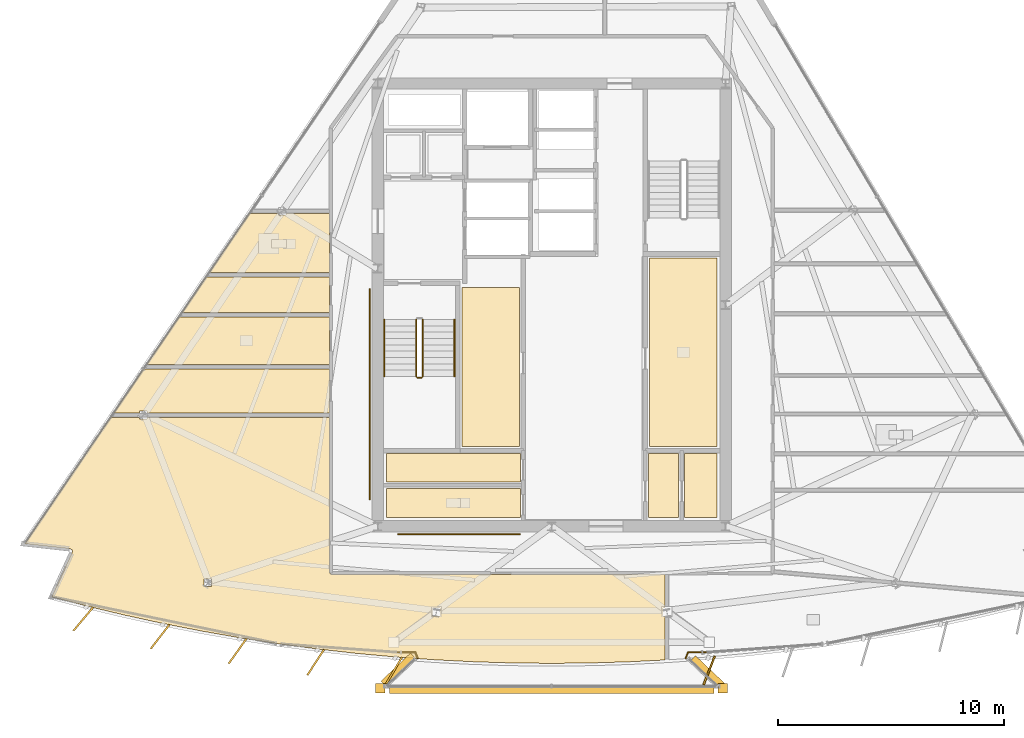
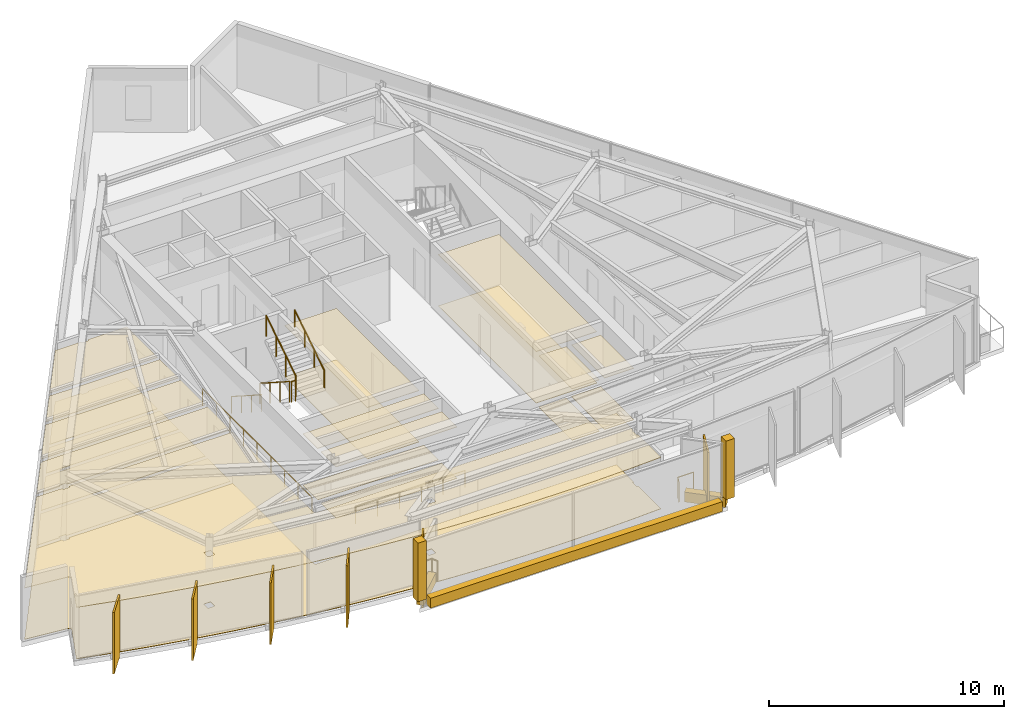
# One storey, part 10 of 13: 27 coverings, 9 railings, 6 shading devices.
"""IFC4 building model written with IfcOpenShell, lengths in metres."""

from ifc_helpers import new_model, si_unit, direction, frame, origin, origin_2d, place, context, subcontext, project, spatial, polyline, rectangle, circle, outline, extrude, material, layer, layer_set, type_object, element, save


model = new_model("IFC4")

# Units and contexts
model_context = context("Model", 3, precision=1e-05, world=origin(), true_north=direction((0.0, 1.0)))
body_context = subcontext(model_context, "Body", "Model", "MODEL_VIEW")
ifc_project = project(units=[si_unit("LENGTHUNIT", "METRE"), si_unit("AREAUNIT", "SQUARE_METRE"), si_unit("VOLUMEUNIT", "CUBIC_METRE"), si_unit("PLANEANGLEUNIT", "RADIAN"), si_unit("MASSUNIT", "GRAM", prefix="KILO")], contexts=[model_context])

# Site, building, storey
site_placement = place(None, origin())
site = spatial("IfcSite", under=ifc_project, at=site_placement, CompositionType="ELEMENT")
building_placement = place(site_placement, origin())
building = spatial("IfcBuilding", under=site, at=building_placement, Name="Savorim Split Tower", CompositionType="ELEMENT")
storey_placement = place(building_placement, frame((0.0, 0.0, 283.199951171875)))
storey = spatial("IfcBuildingStorey", under=building, at=storey_placement, Name="L75", CompositionType="ELEMENT", Elevation=283.199951171875)

# Coverings
ifc_material_1 = material(Name="Mineral Fibre Acoustic Ceiling")
ifc_layer_1 = layer(ifc_material_1, 0.02490234375)
ifc_layer_set_1 = layer_set([ifc_layer_1], Name="COV-CEIL-25")
covering_type_1 = type_object("IfcCoveringType", Name="COV-CEIL-25", PredefinedType="CEILING", material=ifc_layer_set_1)
covering_1_placement = place(storey_placement, frame((0.0, 0.0, 2.670166015625)))
element("IfcCovering", 1, at=covering_1_placement, inside=storey, type_object=covering_type_1, Name="L75 Community Laundry Room Acoustic Ceiling", PredefinedType="CEILING", context=body_context, shape_type="SweptSolid", body=[
    extrude(outline(polyline([(4.330078125, 2.469970703125), (4.330078125, -5.8701171875), (7.320068359375, -5.8701171875), (7.320068359375, 2.469970703125), (4.330078125, 2.469970703125)])), origin(), (0.0, 0.0, 1.0), 0.02490234375),
])
covering_2_placement = place(storey_placement, frame((0.0, 0.0, 2.670166015625)))
element("IfcCovering", 2, at=covering_2_placement, inside=storey, type_object=covering_type_1, Name="L75 Quiet Study Room Acoustic Ceiling", PredefinedType="CEILING", context=body_context, shape_type="SweptSolid", body=[
    extrude(outline(polyline([(-3.969970703125, 1.169921875), (-3.969970703125, -5.8701171875), (-1.429931640625, -5.8701171875), (-1.429931640625, 1.169921875), (-3.969970703125, 1.169921875)])), origin(), (0.0, 0.0, 1.0), 0.02490234375),
])
covering_3_placement = place(storey_placement, frame((0.0, 0.0, 2.670166015625)))
element("IfcCovering", 3, at=covering_3_placement, inside=storey, type_object=covering_type_1, Name="L75 Cleaning Store Acoustic Ceiling", PredefinedType="CEILING", context=body_context, shape_type="SweptSolid", body=[
    extrude(outline(polyline([(-7.320068359375, -6.179931640625), (-7.320068359375, -7.43994140625), (-1.3798828125, -7.43994140625), (-1.3798828125, -6.179931640625), (-7.320068359375, -6.179931640625)])), origin(), (0.0, 0.0, 1.0), 0.02490234375),
])
covering_4_placement = place(storey_placement, frame((0.0, 0.0, 2.670166015625)))
element("IfcCovering", 4, at=covering_4_placement, inside=storey, type_object=covering_type_1, Name="L75 Public WC Acoustic Ceiling", PredefinedType="CEILING", context=body_context, shape_type="SweptSolid", body=[
    extrude(outline(polyline([(-7.320068359375, -7.719970703125), (-7.320068359375, -9.02001953125), (-1.3798828125, -9.02001953125), (-1.3798828125, -7.719970703125), (-7.320068359375, -7.719970703125)])), origin(), (0.0, 0.0, 1.0), 0.02490234375),
])
covering_5_placement = place(storey_placement, frame((0.0, 0.0, 2.670166015625)))
element("IfcCovering", 5, at=covering_5_placement, inside=storey, type_object=covering_type_1, Name="L75 Vending Pantry Acoustic Ceiling", PredefinedType="CEILING", context=body_context, shape_type="SweptSolid", body=[
    extrude(outline(polyline([(4.280029296875, -6.179931640625), (4.280029296875, -9.02001953125), (5.6201171875, -9.02001953125), (5.6201171875, -6.179931640625), (4.280029296875, -6.179931640625)])), origin(), (0.0, 0.0, 1.0), 0.02490234375),
])
covering_6_placement = place(storey_placement, frame((0.0, 0.0, 2.670166015625)))
element("IfcCovering", 6, at=covering_6_placement, inside=storey, type_object=covering_type_1, Name="L75 Recycling Chute Room Acoustic Ceiling", PredefinedType="CEILING", context=body_context, shape_type="SweptSolid", body=[
    extrude(outline(polyline([(5.8798828125, -6.179931640625), (5.8798828125, -9.02001953125), (7.320068359375, -9.02001953125), (7.320068359375, -6.179931640625), (5.8798828125, -6.179931640625)])), origin(), (0.0, 0.0, 1.0), 0.02490234375),
])
covering_7_placement = place(storey_placement, frame((0.0, 0.0, 2.670166015625)))
element("IfcCovering", 7, at=covering_7_placement, inside=storey, type_object=covering_type_1, Name="L75 Shared Kitchen Acoustic Ceiling", PredefinedType="CEILING", context=body_context, shape_type="SweptSolid", body=[
    extrude(outline(polyline([(-16.493896484375, -0.138916015625), (-17.924072265625, -2.241455078125), (-9.840087890625, -2.241455078125), (-9.840087890625, -0.138916015625), (-16.493896484375, -0.138916015625)])), origin(), (0.0, 0.0, 1.0), 0.02490234375),
])
covering_8_placement = place(storey_placement, frame((0.0, 0.0, 2.670166015625)))
element("IfcCovering", 8, at=covering_8_placement, inside=storey, type_object=covering_type_1, Name="L75 Maker Workshop Acoustic Ceiling", PredefinedType="CEILING", context=body_context, shape_type="SweptSolid", body=[
    extrude(outline(polyline([(-17.90234375, -4.307861328125), (-17.90234375, -4.3876953125), (-9.840087890625, -4.3876953125), (-9.840087890625, -2.431396484375), (-18.053466796875, -2.431396484375), (-19.38427734375, -4.3876953125), (-18.2314453125, -4.3876953125), (-18.2314453125, -4.307861328125), (-17.90234375, -4.307861328125)])), origin(), (0.0, 0.0, 1.0), 0.02490234375),
])
covering_9_placement = place(storey_placement, frame((0.0, 0.0, 2.670166015625)))
element("IfcCovering", 9, at=covering_9_placement, inside=storey, type_object=covering_type_1, Name="L75 Maker Workshop Acoustic Ceiling", PredefinedType="CEILING", context=body_context, shape_type="SweptSolid", body=[
    extrude(outline(polyline([(-21.21337890625, -10.5068359375), (-21.21337890625, -10.518798828125), (-21.214111328125, -10.530517578125), (-21.21630859375, -10.54248046875), (-21.2197265625, -10.5537109375), (-21.22412109375, -10.56494140625), (-22.125244140625, -12.526123046875), (-20.5859375, -12.9287109375), (-18.90087890625, -13.332763671875), (-17.2080078125, -13.7021484375), (-15.5078125, -14.036865234375), (-13.801025390625, -14.3369140625), (-12.088623046875, -14.601806640625), (-10.37109375, -14.83154296875), (-8.649169921875, -15.026123046875), (-6.923583984375, -15.185546875), (-5.1953125, -15.3095703125), (-3.46484375, -15.398193359375), (-1.732666015625, -15.451171875), (0.0, -15.468994140625), (1.732666015625, -15.451171875), (3.46484375, -15.398193359375), (5.0068359375, -15.319091796875), (5.0068359375, -13.376708984375), (4.937255859375, -13.376708984375), (4.937255859375, -13.026611328125), (5.0068359375, -13.026611328125), (5.0068359375, -11.5400390625), (-9.699951171875, -11.5400390625), (-9.713623046875, -11.539306640625), (-9.727294921875, -11.537353515625), (-9.740478515625, -11.533935546875), (-9.753662109375, -11.529296875), (-9.76611328125, -11.5234375), (-9.77783203125, -11.516357421875), (-9.788818359375, -11.50830078125), (-9.799072265625, -11.4990234375), (-9.80810546875, -11.48876953125), (-9.81640625, -11.477783203125), (-9.823486328125, -11.466064453125), (-9.829345703125, -11.45361328125), (-9.833984375, -11.440673828125), (-9.83740234375, -11.42724609375), (-9.83935546875, -11.413818359375), (-9.840087890625, -11.39990234375), (-9.840087890625, -4.577880859375), (-17.90234375, -4.577880859375), (-17.90234375, -4.65771484375), (-18.2314453125, -4.65771484375), (-18.2314453125, -4.577880859375), (-19.388427734375, -4.577880859375), (-19.4833984375, -4.577880859375), (-19.4833984375, -4.53369140625), (-23.3193359375, -10.172119140625), (-21.31982421875, -10.3955078125), (-21.30810546875, -10.3974609375), (-21.296630859375, -10.400390625), (-21.285400390625, -10.40478515625), (-21.274658203125, -10.409912109375), (-21.2646484375, -10.41650390625), (-21.255126953125, -10.423583984375), (-21.24658203125, -10.431884765625), (-21.23876953125, -10.44091796875), (-21.231689453125, -10.45068359375), (-21.225830078125, -10.4609375), (-21.22119140625, -10.471923828125), (-21.21728515625, -10.4833984375), (-21.21484375, -10.494873046875), (-21.21337890625, -10.5068359375)]), holes=[polyline([(-15.38671875, -12.077392578125), (-15.0576171875, -12.077392578125), (-15.0576171875, -11.727294921875), (-15.38671875, -11.727294921875), (-15.38671875, -12.077392578125)]), polyline([(-5.266357421875, -13.376708984375), (-4.937255859375, -13.376708984375), (-4.937255859375, -13.026611328125), (-5.266357421875, -13.026611328125), (-5.266357421875, -13.376708984375)])]), origin(), (0.0, 0.0, 1.0), 0.02490234375),
])
covering_10_placement = place(storey_placement, frame((0.0, 0.0, 2.670166015625)))
element("IfcCovering", 10, at=covering_10_placement, inside=storey, type_object=covering_type_1, Name="L75 Shared Bathroom Acoustic Ceiling", PredefinedType="CEILING", context=body_context, shape_type="SweptSolid", body=[
    extrude(outline(polyline([(-12.092529296875, 4.4462890625), (-13.24951171875, 4.4462890625), (-13.344482421875, 4.4462890625), (-13.344482421875, 4.490478515625), (-15.15478515625, 1.82958984375), (-9.840087890625, 1.82958984375), (-9.840087890625, 4.4462890625), (-11.763671875, 4.4462890625), (-11.763671875, 4.3662109375), (-12.092529296875, 4.3662109375), (-12.092529296875, 4.4462890625)])), origin(), (0.0, 0.0, 1.0), 0.02490234375),
])
covering_11_placement = place(storey_placement, frame((0.0, 0.0, 2.670166015625)))
element("IfcCovering", 11, at=covering_11_placement, inside=storey, type_object=covering_type_1, Name="L75 Co-Living Bedroom Acoustic Ceiling", PredefinedType="CEILING", context=body_context, shape_type="SweptSolid", body=[
    extrude(outline(polyline([(-15.283935546875, 1.639404296875), (-16.364501953125, 0.051025390625), (-9.840087890625, 0.051025390625), (-9.840087890625, 1.639404296875), (-15.283935546875, 1.639404296875)])), origin(), (0.0, 0.0, 1.0), 0.02490234375),
])
ifc_material_2 = material(Name="Porcelain Stoneware Flooring", Category="masonry")
ifc_layer_2 = layer(ifc_material_2, 0.02001953125)
ifc_layer_set_2 = layer_set([ifc_layer_2], Name="COV-FLOR-20")
covering_type_2 = type_object("IfcCoveringType", Name="COV-FLOR-20", PredefinedType="FLOORING", material=ifc_layer_set_2)
covering_12_placement = place(storey_placement, origin())
element("IfcCovering", 12, at=covering_12_placement, inside=storey, type_object=covering_type_2, Name="L75 Community Laundry Room Porcelain Flooring", PredefinedType="FLOORING", context=body_context, shape_type="SweptSolid", body=[
    extrude(outline(polyline([(4.330078125, 2.469970703125), (4.330078125, -5.8701171875), (7.320068359375, -5.8701171875), (7.320068359375, 2.469970703125), (4.330078125, 2.469970703125)])), origin(), (0.0, 0.0, 1.0), 0.02001953125),
])
covering_13_placement = place(storey_placement, origin())
element("IfcCovering", 13, at=covering_13_placement, inside=storey, type_object=covering_type_2, Name="L75 Quiet Study Room Porcelain Flooring", PredefinedType="FLOORING", context=body_context, shape_type="SweptSolid", body=[
    extrude(outline(polyline([(-3.969970703125, 1.169921875), (-3.969970703125, -5.8701171875), (-1.429931640625, -5.8701171875), (-1.429931640625, 1.169921875), (-3.969970703125, 1.169921875)])), origin(), (0.0, 0.0, 1.0), 0.02001953125),
])
covering_14_placement = place(storey_placement, origin())
element("IfcCovering", 14, at=covering_14_placement, inside=storey, type_object=covering_type_2, Name="L75 Cleaning Store Porcelain Flooring", PredefinedType="FLOORING", context=body_context, shape_type="SweptSolid", body=[
    extrude(outline(polyline([(-7.320068359375, -6.179931640625), (-7.320068359375, -7.43994140625), (-1.3798828125, -7.43994140625), (-1.3798828125, -6.179931640625), (-7.320068359375, -6.179931640625)])), origin(), (0.0, 0.0, 1.0), 0.02001953125),
])
covering_15_placement = place(storey_placement, origin())
element("IfcCovering", 15, at=covering_15_placement, inside=storey, type_object=covering_type_2, Name="L75 Public WC Porcelain Flooring", PredefinedType="FLOORING", context=body_context, shape_type="SweptSolid", body=[
    extrude(outline(polyline([(-7.320068359375, -7.719970703125), (-7.320068359375, -9.02001953125), (-1.3798828125, -9.02001953125), (-1.3798828125, -7.719970703125), (-7.320068359375, -7.719970703125)])), origin(), (0.0, 0.0, 1.0), 0.02001953125),
])
covering_16_placement = place(storey_placement, origin())
element("IfcCovering", 16, at=covering_16_placement, inside=storey, type_object=covering_type_2, Name="L75 Vending Pantry Porcelain Flooring", PredefinedType="FLOORING", context=body_context, shape_type="SweptSolid", body=[
    extrude(outline(polyline([(4.280029296875, -6.179931640625), (4.280029296875, -9.02001953125), (5.6201171875, -9.02001953125), (5.6201171875, -6.179931640625), (4.280029296875, -6.179931640625)])), origin(), (0.0, 0.0, 1.0), 0.02001953125),
])
covering_17_placement = place(storey_placement, origin())
element("IfcCovering", 17, at=covering_17_placement, inside=storey, type_object=covering_type_2, Name="L75 Recycling Chute Room Porcelain Flooring", PredefinedType="FLOORING", context=body_context, shape_type="SweptSolid", body=[
    extrude(outline(polyline([(5.8798828125, -6.179931640625), (5.8798828125, -9.02001953125), (7.320068359375, -9.02001953125), (7.320068359375, -6.179931640625), (5.8798828125, -6.179931640625)])), origin(), (0.0, 0.0, 1.0), 0.02001953125),
])
covering_18_placement = place(storey_placement, origin())
element("IfcCovering", 18, at=covering_18_placement, inside=storey, type_object=covering_type_2, Name="L75 Shared Kitchen Porcelain Flooring", PredefinedType="FLOORING", context=body_context, shape_type="SweptSolid", body=[
    extrude(outline(polyline([(-16.493896484375, -0.138916015625), (-17.924072265625, -2.241455078125), (-9.840087890625, -2.241455078125), (-9.840087890625, -0.138916015625), (-16.493896484375, -0.138916015625)])), origin(), (0.0, 0.0, 1.0), 0.02001953125),
])
covering_19_placement = place(storey_placement, origin())
element("IfcCovering", 19, at=covering_19_placement, inside=storey, type_object=covering_type_2, Name="L75 Maker Workshop Porcelain Flooring", PredefinedType="FLOORING", context=body_context, shape_type="SweptSolid", body=[
    extrude(outline(polyline([(-17.90234375, -4.307861328125), (-17.90234375, -4.3876953125), (-9.840087890625, -4.3876953125), (-9.840087890625, -2.431396484375), (-18.053466796875, -2.431396484375), (-19.38427734375, -4.3876953125), (-18.2314453125, -4.3876953125), (-18.2314453125, -4.307861328125), (-17.90234375, -4.307861328125)])), origin(), (0.0, 0.0, 1.0), 0.02001953125),
])
covering_20_placement = place(storey_placement, origin())
element("IfcCovering", 20, at=covering_20_placement, inside=storey, type_object=covering_type_2, Name="L75 Maker Workshop Porcelain Flooring", PredefinedType="FLOORING", context=body_context, shape_type="SweptSolid", body=[
    extrude(outline(polyline([(-21.21337890625, -10.5068359375), (-21.21337890625, -10.518798828125), (-21.214111328125, -10.530517578125), (-21.21630859375, -10.54248046875), (-21.2197265625, -10.5537109375), (-21.22412109375, -10.56494140625), (-22.125244140625, -12.526123046875), (-20.5859375, -12.9287109375), (-18.90087890625, -13.332763671875), (-17.2080078125, -13.7021484375), (-15.5078125, -14.036865234375), (-13.801025390625, -14.3369140625), (-12.088623046875, -14.601806640625), (-10.37109375, -14.83154296875), (-8.649169921875, -15.026123046875), (-6.923583984375, -15.185546875), (-5.1953125, -15.3095703125), (-3.46484375, -15.398193359375), (-1.732666015625, -15.451171875), (0.0, -15.468994140625), (1.732666015625, -15.451171875), (3.46484375, -15.398193359375), (5.0068359375, -15.319091796875), (5.0068359375, -13.376708984375), (4.937255859375, -13.376708984375), (4.937255859375, -13.026611328125), (5.0068359375, -13.026611328125), (5.0068359375, -11.5400390625), (-9.699951171875, -11.5400390625), (-9.713623046875, -11.539306640625), (-9.727294921875, -11.537353515625), (-9.740478515625, -11.533935546875), (-9.753662109375, -11.529296875), (-9.76611328125, -11.5234375), (-9.77783203125, -11.516357421875), (-9.788818359375, -11.50830078125), (-9.799072265625, -11.4990234375), (-9.80810546875, -11.48876953125), (-9.81640625, -11.477783203125), (-9.823486328125, -11.466064453125), (-9.829345703125, -11.45361328125), (-9.833984375, -11.440673828125), (-9.83740234375, -11.42724609375), (-9.83935546875, -11.413818359375), (-9.840087890625, -11.39990234375), (-9.840087890625, -4.577880859375), (-17.90234375, -4.577880859375), (-17.90234375, -4.65771484375), (-18.2314453125, -4.65771484375), (-18.2314453125, -4.577880859375), (-19.388427734375, -4.577880859375), (-19.4833984375, -4.577880859375), (-19.4833984375, -4.53369140625), (-23.3193359375, -10.172119140625), (-21.31982421875, -10.3955078125), (-21.30810546875, -10.3974609375), (-21.296630859375, -10.400390625), (-21.285400390625, -10.40478515625), (-21.274658203125, -10.409912109375), (-21.2646484375, -10.41650390625), (-21.255126953125, -10.423583984375), (-21.24658203125, -10.431884765625), (-21.23876953125, -10.44091796875), (-21.231689453125, -10.45068359375), (-21.225830078125, -10.4609375), (-21.22119140625, -10.471923828125), (-21.21728515625, -10.4833984375), (-21.21484375, -10.494873046875), (-21.21337890625, -10.5068359375)]), holes=[polyline([(-15.38671875, -12.077392578125), (-15.0576171875, -12.077392578125), (-15.0576171875, -11.727294921875), (-15.38671875, -11.727294921875), (-15.38671875, -12.077392578125)]), polyline([(-5.266357421875, -13.376708984375), (-4.937255859375, -13.376708984375), (-4.937255859375, -13.026611328125), (-5.266357421875, -13.026611328125), (-5.266357421875, -13.376708984375)])]), origin(), (0.0, 0.0, 1.0), 0.02001953125),
])
covering_21_placement = place(storey_placement, origin())
element("IfcCovering", 21, at=covering_21_placement, inside=storey, type_object=covering_type_2, Name="L75 Shared Bathroom Porcelain Flooring", PredefinedType="FLOORING", context=body_context, shape_type="SweptSolid", body=[
    extrude(outline(polyline([(-12.092529296875, 4.4462890625), (-13.24951171875, 4.4462890625), (-13.344482421875, 4.4462890625), (-13.344482421875, 4.490478515625), (-15.15478515625, 1.82958984375), (-9.840087890625, 1.82958984375), (-9.840087890625, 4.4462890625), (-11.763671875, 4.4462890625), (-11.763671875, 4.3662109375), (-12.092529296875, 4.3662109375), (-12.092529296875, 4.4462890625)])), origin(), (0.0, 0.0, 1.0), 0.02001953125),
])
covering_22_placement = place(storey_placement, origin())
element("IfcCovering", 22, at=covering_22_placement, inside=storey, type_object=covering_type_2, Name="L75 Co-Living Bedroom Porcelain Flooring", PredefinedType="FLOORING", context=body_context, shape_type="SweptSolid", body=[
    extrude(outline(polyline([(-15.283935546875, 1.639404296875), (-16.364501953125, 0.051025390625), (-9.840087890625, 0.051025390625), (-9.840087890625, 1.639404296875), (-15.283935546875, 1.639404296875)])), origin(), (0.0, 0.0, 1.0), 0.02001953125),
])
ifc_material_3 = material(Name="White Porcelain Architectural Cladding")
ifc_layer_3 = layer(ifc_material_3, 0.139892578125)
ifc_layer_set_3 = layer_set([ifc_layer_3], Name="COV-FRM-WHITE")
covering_type_3 = type_object("IfcCoveringType", Name="COV-FRM-WHITE", PredefinedType="CLADDING", material=ifc_layer_set_3)
covering_23_placement = place(storey_placement, frame((0.0, 0.0, 0.010009765625)))
element("IfcCovering", 23, at=covering_23_placement, inside=storey, type_object=covering_type_3, Name="L75 Cantilevered Lounge White Lower Frame Band W", PredefinedType="CLADDING", context=body_context, shape_type="SweptSolid", body=[
    extrude(outline(polyline([(-6.2490234375, -15.016845703125), (-7.5556640625, -16.254638671875), (-7.322021484375, -16.50146484375), (-6.01513671875, -15.263671875), (-6.2490234375, -15.016845703125)])), origin(), (0.0, 0.0, 1.0), 0.510009765625),
])
covering_24_placement = place(storey_placement, frame((0.0, 0.0, 0.010009765625)))
element("IfcCovering", 24, at=covering_24_placement, inside=storey, type_object=covering_type_3, Name="L75 Cantilevered Lounge White Lower Frame Band F", PredefinedType="CLADDING", context=body_context, shape_type="SweptSolid", body=[
    extrude(outline(polyline([(-7.1787109375, -16.799560546875), (7.1787109375, -16.799560546875), (7.1787109375, -16.45947265625), (-7.1787109375, -16.45947265625), (-7.1787109375, -16.799560546875)])), origin(), (0.0, 0.0, 1.0), 0.510009765625),
])
covering_25_placement = place(storey_placement, frame((0.0, 0.0, 0.010009765625)))
element("IfcCovering", 25, at=covering_25_placement, inside=storey, type_object=covering_type_3, Name="L75 Cantilevered Lounge White Lower Frame Band E", PredefinedType="CLADDING", context=body_context, shape_type="SweptSolid", body=[
    extrude(outline(polyline([(7.671875, -16.36474609375), (6.364990234375, -15.126953125), (6.13134765625, -15.373779296875), (7.43798828125, -16.611572265625), (7.671875, -16.36474609375)])), origin(), (0.0, 0.0, 1.0), 0.510009765625),
])
covering_26_placement = place(storey_placement, frame((0.0, 0.0, 0.5400390625)))
element("IfcCovering", 26, at=covering_26_placement, inside=storey, type_object=covering_type_3, Name="L75 Cantilevered Lounge White Frame Corner Post 1", PredefinedType="CLADDING", context=body_context, shape_type="SweptSolid", body=[
    extrude(outline(polyline([(-7.78857421875, -16.78955078125), (-7.36865234375, -16.78955078125), (-7.36865234375, -16.369384765625), (-7.78857421875, -16.369384765625), (-7.78857421875, -16.78955078125)])), origin(), (0.0, 0.0, 1.0), 3.050048828125),
])
covering_27_placement = place(storey_placement, frame((0.0, 0.0, 0.5400390625)))
element("IfcCovering", 27, at=covering_27_placement, inside=storey, type_object=covering_type_3, Name="L75 Cantilevered Lounge White Frame Corner Post 2", PredefinedType="CLADDING", context=body_context, shape_type="SweptSolid", body=[
    extrude(outline(polyline([(7.36865234375, -16.78955078125), (7.78857421875, -16.78955078125), (7.78857421875, -16.369384765625), (7.36865234375, -16.369384765625), (7.36865234375, -16.78955078125)])), origin(), (0.0, 0.0, 1.0), 3.050048828125),
])

# Railings
ifc_material_4 = material(Name="Galvanised Painted Steel Balustrade", Category="steel")
railing_type_1 = type_object("IfcRailingType", Name="RLG-BAL-1100", PredefinedType="BALUSTRADE", material=ifc_material_4)
railing_1_placement = place(storey_placement, frame((-6.819580078125, -14.971435546875, 0.0)))
element("IfcRailing", 28, at=railing_1_placement, inside=storey, type_object=railing_type_1, Name="L75 Cantilevered Lounge West Edge Closure Guard", PredefinedType="BALUSTRADE", context=body_context, shape_type="SweptSolid", body=[
    extrude(circle(Radius=0.02392578125, at=origin_2d()), frame((0.0, 0.0, 1.076171875), z_axis=(1.0, 0.0, 0.0), x_axis=(0.0, 1.0, 0.0)), (0.0, 0.0, 1.0), 0.780029296875),
    extrude(circle(Radius=0.02392578125, at=origin_2d()), frame((0.780029296875, 0.0, 1.076171875), z_axis=(0.370122497849, -0.928982958178, 0.0), x_axis=(0.928982958178, 0.370122497849, 0.0)), (0.0, 0.0, 1.0), 0.298828125),
    extrude(circle(Radius=0.02099609375, at=origin_2d()), origin(), (0.0, 0.0, 1.0), 1.052001953125),
    extrude(circle(Radius=0.02099609375, at=origin_2d()), frame((0.780029296875, 0.0, 0.0)), (0.0, 0.0, 1.0), 1.052001953125),
    extrude(circle(Radius=0.02099609375, at=origin_2d()), frame((0.890625, -0.277587890625, 0.0)), (0.0, 0.0, 1.0), 1.052001953125),
])
railing_2_placement = place(storey_placement, frame((5.928955078125, -15.2490234375, 0.0)))
element("IfcRailing", 29, at=railing_2_placement, inside=storey, type_object=railing_type_1, Name="L75 Cantilevered Lounge East Edge Closure Guard", PredefinedType="BALUSTRADE", context=body_context, shape_type="SweptSolid", body=[
    extrude(circle(Radius=0.02392578125, at=origin_2d()), frame((0.0, 0.0, 1.076171875), z_axis=(0.370122497849, 0.928982958178, 0.0), x_axis=(-0.928982958178, 0.370122497849, 0.0)), (0.0, 0.0, 1.0), 0.298828125),
    extrude(circle(Radius=0.02392578125, at=origin_2d()), frame((0.110595703125, 0.277587890625, 1.076171875), z_axis=(1.0, 0.0, 0.0), x_axis=(0.0, 1.0, 0.0)), (0.0, 0.0, 1.0), 0.780029296875),
    extrude(circle(Radius=0.02099609375, at=origin_2d()), origin(), (0.0, 0.0, 1.0), 1.052001953125),
    extrude(circle(Radius=0.02099609375, at=origin_2d()), frame((0.110595703125, 0.277587890625, 0.0)), (0.0, 0.0, 1.0), 1.052001953125),
    extrude(circle(Radius=0.02099609375, at=origin_2d()), frame((0.890625, 0.277587890625, 0.0)), (0.0, 0.0, 1.0), 1.052001953125),
])
railing_type_2 = type_object("IfcRailingType", Name="RLG-HR-900", PredefinedType="HANDRAIL", material=ifc_material_4)
railing_3_placement = place(storey_placement, frame((-7.39990234375, -0.25, 0.179931640625)))
element("IfcRailing", 30, at=railing_3_placement, inside=storey, type_object=railing_type_2, Name="L75 ST-1 stair handrail 1", PredefinedType="HANDRAIL", context=body_context, shape_type="SweptSolid", body=[
    extrude(circle(Radius=0.02392578125, at=origin_2d()), frame((0.0, 0.0, 0.8759765625), z_axis=(0.0, -0.841162588446, 0.540782303519), x_axis=(1.0, 0.0, 0.0)), (0.0, 0.0, 1.0), 2.995849609375),
    extrude(circle(Radius=0.02099609375, at=origin_2d()), origin(), (0.0, 0.0, 1.0), 0.851806640625),
    extrude(circle(Radius=0.02099609375, at=origin_2d()), frame((0.0, -0.840087890625, 0.5400390625)), (0.0, 0.0, 1.0), 0.851806640625),
    extrude(circle(Radius=0.02099609375, at=origin_2d()), frame((0.0, -1.679931640625, 1.080078125)), (0.0, 0.0, 1.0), 0.851806640625),
    extrude(circle(Radius=0.02099609375, at=origin_2d()), frame((0.0, -2.52001953125, 1.6201171875)), (0.0, 0.0, 1.0), 0.851806640625),
])
railing_4_placement = place(storey_placement, frame((-4.300048828125, -2.77001953125, 1.97998046875)))
element("IfcRailing", 31, at=railing_4_placement, inside=storey, type_object=railing_type_2, Name="L75 ST-1 stair handrail 2", PredefinedType="HANDRAIL", context=body_context, shape_type="SweptSolid", body=[
    extrude(circle(Radius=0.02392578125, at=origin_2d()), frame((0.0, 0.0, 0.8759765625), z_axis=(0.0, 0.841162588446, 0.540782303519), x_axis=(-1.0, 0.0, 0.0)), (0.0, 0.0, 1.0), 2.995849609375),
    extrude(circle(Radius=0.02099609375, at=origin_2d()), origin(), (0.0, 0.0, 1.0), 0.851806640625),
    extrude(circle(Radius=0.02099609375, at=origin_2d()), frame((0.0, 0.840087890625, 0.5400390625)), (0.0, 0.0, 1.0), 0.851806640625),
    extrude(circle(Radius=0.02099609375, at=origin_2d()), frame((0.0, 1.679931640625, 1.080078125)), (0.0, 0.0, 1.0), 0.851806640625),
    extrude(circle(Radius=0.02099609375, at=origin_2d()), frame((0.0, 2.52001953125, 1.6201171875)), (0.0, 0.0, 1.0), 0.851806640625),
])
railing_5_placement = place(storey_placement, frame((-6.800048828125, -9.75, 0.0)))
element("IfcRailing", 32, at=railing_5_placement, inside=storey, type_object=railing_type_2, Name="L75 Corridor South Accessible Handrail", PredefinedType="HANDRAIL", context=body_context, shape_type="SweptSolid", body=[
    extrude(circle(Radius=0.02392578125, at=origin_2d()), frame((0.0, 0.0, 0.8759765625), z_axis=(1.0, 0.0, 0.0), x_axis=(0.0, 1.0, 0.0)), (0.0, 0.0, 1.0), 5.400146484375),
    extrude(circle(Radius=0.02099609375, at=origin_2d()), origin(), (0.0, 0.0, 1.0), 0.851806640625),
    extrude(circle(Radius=0.02099609375, at=origin_2d()), frame((1.080078125, 0.0, 0.0)), (0.0, 0.0, 1.0), 0.851806640625),
    extrude(circle(Radius=0.02099609375, at=origin_2d()), frame((2.16015625, 0.0, 0.0)), (0.0, 0.0, 1.0), 0.851806640625),
    extrude(circle(Radius=0.02099609375, at=origin_2d()), frame((3.239990234375, 0.0, 0.0)), (0.0, 0.0, 1.0), 0.851806640625),
    extrude(circle(Radius=0.02099609375, at=origin_2d()), frame((4.320068359375, 0.0, 0.0)), (0.0, 0.0, 1.0), 0.851806640625),
    extrude(circle(Radius=0.02099609375, at=origin_2d()), frame((5.400146484375, 0.0, 0.0)), (0.0, 0.0, 1.0), 0.851806640625),
])
railing_6_placement = place(storey_placement, frame((-8.050048828125, -8.199951171875, 0.0)))
element("IfcRailing", 33, at=railing_6_placement, inside=storey, type_object=railing_type_2, Name="L75 Corridor West Accessible Handrail", PredefinedType="HANDRAIL", context=body_context, shape_type="SweptSolid", body=[
    extrude(circle(Radius=0.02392578125, at=origin_2d()), frame((0.0, 0.0, 0.8759765625), z_axis=(0.0, 1.0, 0.0), x_axis=(-1.0, 0.0, 0.0)), (0.0, 0.0, 1.0), 9.300048828125),
    extrude(circle(Radius=0.02099609375, at=origin_2d()), origin(), (0.0, 0.0, 1.0), 0.851806640625),
    extrude(circle(Radius=0.02099609375, at=origin_2d()), frame((0.0, 1.16259765625, 0.0)), (0.0, 0.0, 1.0), 0.851806640625),
    extrude(circle(Radius=0.02099609375, at=origin_2d()), frame((0.0, 2.324951171875, 0.0)), (0.0, 0.0, 1.0), 0.851806640625),
    extrude(circle(Radius=0.02099609375, at=origin_2d()), frame((0.0, 3.487548828125, 0.0)), (0.0, 0.0, 1.0), 0.851806640625),
    extrude(circle(Radius=0.02099609375, at=origin_2d()), frame((0.0, 4.64990234375, 0.0)), (0.0, 0.0, 1.0), 0.851806640625),
    extrude(circle(Radius=0.02099609375, at=origin_2d()), frame((0.0, 5.8125, 0.0)), (0.0, 0.0, 1.0), 0.851806640625),
    extrude(circle(Radius=0.02099609375, at=origin_2d()), frame((0.0, 6.97509765625, 0.0)), (0.0, 0.0, 1.0), 0.851806640625),
    extrude(circle(Radius=0.02099609375, at=origin_2d()), frame((0.0, 8.137451171875, 0.0)), (0.0, 0.0, 1.0), 0.851806640625),
    extrude(circle(Radius=0.02099609375, at=origin_2d()), frame((0.0, 9.300048828125, 0.0)), (0.0, 0.0, 1.0), 0.851806640625),
])
railing_type_3 = type_object("IfcRailingType", Name="RLG-STG-1100", PredefinedType="BALUSTRADE", material=ifc_material_4)
railing_7_placement = place(storey_placement, frame((-6.0, -0.25, 0.179931640625)))
element("IfcRailing", 34, at=railing_7_placement, inside=storey, type_object=railing_type_3, Name="L75 ST-1 stair guard 1", PredefinedType="BALUSTRADE", context=body_context, shape_type="SweptSolid", body=[
    extrude(circle(Radius=0.02392578125, at=origin_2d()), frame((0.0, 0.0, 1.076171875), z_axis=(0.0, -0.841162588446, 0.540782303519), x_axis=(1.0, 0.0, 0.0)), (0.0, 0.0, 1.0), 2.995849609375),
    extrude(circle(Radius=0.02099609375, at=origin_2d()), origin(), (0.0, 0.0, 1.0), 1.052001953125),
    extrude(circle(Radius=0.02099609375, at=origin_2d()), frame((0.0, -0.840087890625, 0.5400390625)), (0.0, 0.0, 1.0), 1.052001953125),
    extrude(circle(Radius=0.02099609375, at=origin_2d()), frame((0.0, -1.679931640625, 1.080078125)), (0.0, 0.0, 1.0), 1.052001953125),
    extrude(circle(Radius=0.02099609375, at=origin_2d()), frame((0.0, -2.52001953125, 1.6201171875)), (0.0, 0.0, 1.0), 1.052001953125),
])
railing_8_placement = place(storey_placement, frame((-5.949951171875, -2.820068359375, 1.800048828125)))
element("IfcRailing", 35, at=railing_8_placement, inside=storey, type_object=railing_type_3, Name="L75 ST-1 stair guard 2", PredefinedType="BALUSTRADE", context=body_context, shape_type="SweptSolid", body=[
    extrude(circle(Radius=0.02392578125, at=origin_2d()), frame((0.0, 0.0, 1.076171875), z_axis=(1.0, 0.0, 0.0), x_axis=(0.0, 1.0, 0.0)), (0.0, 0.0, 1.0), 0.199951171875),
    extrude(circle(Radius=0.02099609375, at=origin_2d()), origin(), (0.0, 0.0, 1.0), 1.052001953125),
    extrude(circle(Radius=0.02099609375, at=origin_2d()), frame((0.199951171875, 0.0, 0.0)), (0.0, 0.0, 1.0), 1.052001953125),
])
railing_9_placement = place(storey_placement, frame((-5.699951171875, -2.77001953125, 1.97998046875)))
element("IfcRailing", 36, at=railing_9_placement, inside=storey, type_object=railing_type_3, Name="L75 ST-1 stair guard 3", PredefinedType="BALUSTRADE", context=body_context, shape_type="SweptSolid", body=[
    extrude(circle(Radius=0.02392578125, at=origin_2d()), frame((0.0, 0.0, 1.076171875), z_axis=(0.0, 0.841162588446, 0.540782303519), x_axis=(-1.0, 0.0, 0.0)), (0.0, 0.0, 1.0), 2.995849609375),
    extrude(circle(Radius=0.02099609375, at=origin_2d()), origin(), (0.0, 0.0, 1.0), 1.052001953125),
    extrude(circle(Radius=0.02099609375, at=origin_2d()), frame((0.0, 0.840087890625, 0.5400390625)), (0.0, 0.0, 1.0), 1.052001953125),
    extrude(circle(Radius=0.02099609375, at=origin_2d()), frame((0.0, 1.679931640625, 1.080078125)), (0.0, 0.0, 1.0), 1.052001953125),
    extrude(circle(Radius=0.02099609375, at=origin_2d()), frame((0.0, 2.52001953125, 1.6201171875)), (0.0, 0.0, 1.0), 1.052001953125),
])

# Shading devices
ifc_material_5 = material(Name="Terracotta Ceramic-Coated Aluminium Fin", Category="masonry")
shading_device_type = type_object("IfcShadingDeviceType", Name="SHD-FIN-1360", PredefinedType="USERDEFINED", material=ifc_material_5)
for number, where, z_axis, x_axis, name in (
    (37, (-20.73095703125, -13.5068359375, -0.19970703125), (0.0, 0.0, 1.0), (-0.643719022682, -0.765261928909, 0.0), "L75 Sawtooth Shading Fin 01"),
    (38, (-17.3291015625, -14.28564453125, -0.19970703125), (0.0, 0.0, 1.0), (-0.611868076908, -0.790959832394, 0.0), "L75 Sawtooth Shading Fin 02"),
    (39, (-13.898193359375, -14.9248046875, -0.19970703125), (0.0, 0.0, 1.0), (-0.578993757737, -0.815331974414, 0.0), "L75 Sawtooth Shading Fin 03"),
    (40, (-10.444091796875, -15.423095703125, -0.19970703125), (0.0, 0.0, 1.0), (-0.545148321708, -0.838339613366, 0.0), "L75 Sawtooth Shading Fin 04"),
    (41, (-6.972412109375, -15.779541015625, -0.19970703125), (0.0, 0.0, 1.0), (-0.510391336723, -0.859942255851, 0.0), "L75 Sawtooth Shading Fin 05"),
    (42, (6.972412109375, -15.779541015625, -0.19970703125), (0.0, 0.0, 1.0), (-0.363415461732, -0.931627179817, 0.0), "L75 Sawtooth Shading Fin 09"),
):
    element("IfcShadingDevice", number, at=place(storey_placement, frame(where, z_axis=z_axis, x_axis=x_axis)), inside=storey, type_object=shading_device_type, Name=name, ObjectType="FIN", PredefinedType="USERDEFINED", context=body_context, shape_type="SweptSolid", body=[
        extrude(rectangle(XDim=1.360107421875, YDim=0.080078125, at=origin_2d()), origin(), (0.0, 0.0, 1.0), 3.199951171875),
    ])

save(model, "model.ifc")
